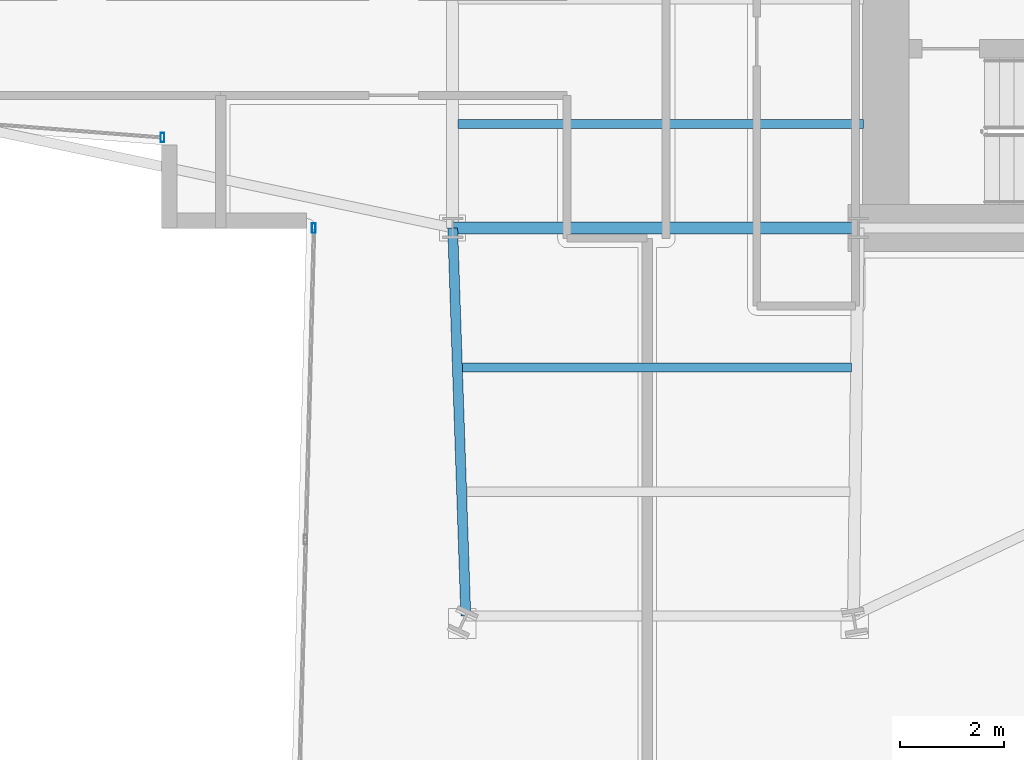
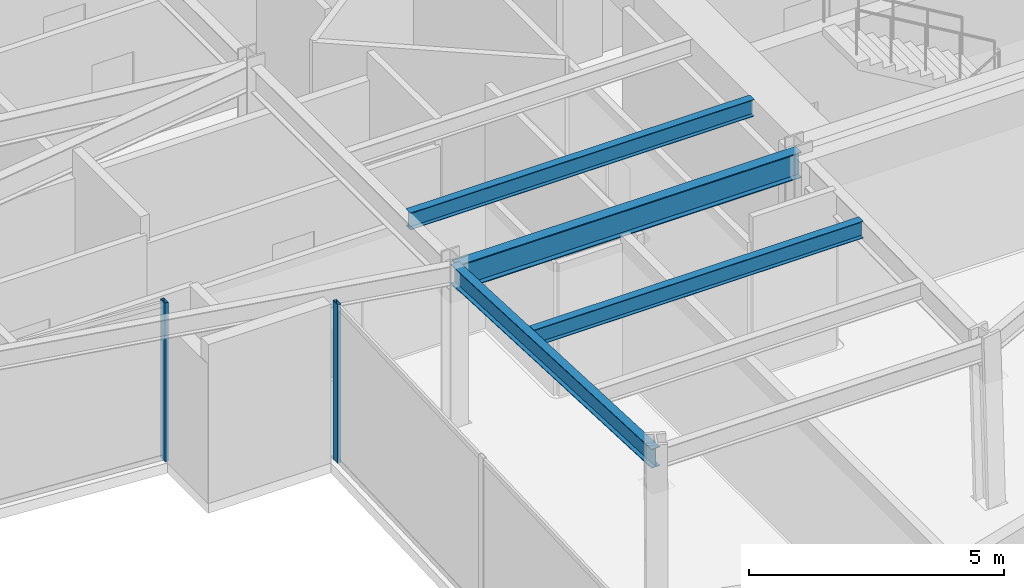
# One storey, part 7 of 31: 4 beams, 2 members, 2 elements without a shape of their own.
"""IFC4 building model written with IfcOpenShell, lengths in metres."""

import ifcopenshell
import ifcopenshell.guid

model = None  # the IFC model being written
_history = None  # IfcOwnerHistory: only IFC2X3 demands one
_inside = {}  # id of a spatial element -> (the spatial element, [elements in it])
_under = {}  # id of a project, library or spatial element -> (it, [spatial elements below it])
_declared = {}  # id of a project -> (the project, [libraries it declares])
_typed = {}  # id of a type object -> (the type object, [elements of that type])
_made_of = {}  # id of a material, layer set ... -> (it, [elements and type objects made of it])


def new_model(schema):
    """Start an empty IFC model of exactly this schema.

    Asked for "IFC4X3", IfcOpenShell would pick the latest addendum, in which some entities
    have other attributes; the version numbers below select the first issue.
    IFC2X3 requires an IfcOwnerHistory on every rooted entity: one is made here for all.
    """
    global model, _history
    if schema == "IFC4X3":
        model = ifcopenshell.file(schema_version=(4, 3, 0, 0))
    else:
        model = ifcopenshell.file(schema=schema)
    _inside.clear()
    _under.clear()
    _declared.clear()
    _typed.clear()
    _made_of.clear()
    _history = None
    if model.schema == "IFC2X3":
        org = make("IfcOrganization", Name="unknown")
        user = make(
            "IfcPersonAndOrganization",
            ThePerson=make("IfcPerson", FamilyName="unknown"),
            TheOrganization=org,
        )
        app = make(
            "IfcApplication",
            ApplicationDeveloper=org,
            Version="unknown",
            ApplicationFullName="unknown",
            ApplicationIdentifier="unknown",
        )
        _history = make(
            "IfcOwnerHistory",
            OwningUser=user,
            OwningApplication=app,
            ChangeAction="ADDED",
            CreationDate=0,
        )
    return model


def make(cls, **values):
    """One entity of the class cls with the attributes given. An attribute that is None is left unset."""
    return model.create_entity(
        cls, **{name: value for name, value in values.items() if value is not None}
    )


def rooted(cls, **values):
    """An entity with a GlobalId (a new one), such as an element, a storey or a relation."""
    return make(cls, GlobalId=ifcopenshell.guid.new(), OwnerHistory=_history, **values)


def si_unit(unit_type, name, prefix=None):
    """IfcSIUnit, for example si_unit("LENGTHUNIT", "METRE", prefix="MILLI")."""
    return make("IfcSIUnit", UnitType=unit_type, Prefix=prefix, Name=name)


def assignment(units):
    """IfcUnitAssignment: the units of a project."""
    return None if units is None else make("IfcUnitAssignment", Units=units)


def point(xyz):
    """IfcCartesianPoint."""
    return None if xyz is None else make("IfcCartesianPoint", Coordinates=xyz)


def direction(xyz):
    """IfcDirection."""
    return None if xyz is None else make("IfcDirection", DirectionRatios=xyz)


def frame(location, z_axis=None, x_axis=None):
    """IfcAxis2Placement3D, a coordinate frame: its origin and axes. An axis left out is left unset."""
    return make(
        "IfcAxis2Placement3D",
        Location=point(location),
        Axis=direction(z_axis),
        RefDirection=direction(x_axis),
    )


def frame_2d(location, x_axis=None):
    """IfcAxis2Placement2D, a coordinate frame in the plane: its origin and x axis."""
    return make(
        "IfcAxis2Placement2D", Location=point(location), RefDirection=direction(x_axis)
    )


def origin():
    """The frame at (0, 0, 0) with its axes left unset."""
    return frame((0.0, 0.0, 0.0))


def origin_2d():
    """The frame at (0, 0) in the plane with its x axis left unset."""
    return frame_2d((0.0, 0.0))


def place(relative_to, where):
    """IfcLocalPlacement: puts the frame where relative to a parent placement (None: the world)."""
    return make(
        "IfcLocalPlacement", PlacementRelTo=relative_to, RelativePlacement=where
    )


def context(
    kind, dimensions, precision=None, world=None, true_north=None, identifier=None
):
    """IfcGeometricRepresentationContext, for example the 3D "Model" context."""
    return make(
        "IfcGeometricRepresentationContext",
        ContextIdentifier=identifier,
        ContextType=kind,
        CoordinateSpaceDimension=dimensions,
        Precision=precision,
        WorldCoordinateSystem=world,
        TrueNorth=true_north,
    )


def subcontext(parent, identifier, kind, view, scale=None):
    """IfcGeometricRepresentationSubContext, for example "Body" below "Model"."""
    return make(
        "IfcGeometricRepresentationSubContext",
        ContextIdentifier=identifier,
        ContextType=kind,
        ParentContext=parent,
        TargetScale=scale,
        TargetView=view,
    )


def project(units=None, contexts=None):
    """IfcProject with its units and contexts."""
    return rooted(
        "IfcProject",
        Name="project",
        RepresentationContexts=contexts,
        UnitsInContext=assignment(units),
    )


def spatial(cls, under=None, at=None, **own):
    """A site, building, storey or space (cls), placed at a placement, below another one or the project."""
    s = rooted(cls, ObjectPlacement=at, **own)
    if under is not None:
        _under.setdefault(under.id(), (under, []))[1].append(s)
    return s


def profile(cls, at=None, kind="AREA", **sizes):
    """A parametric profile (cls). Its sizes go by their IFC names, for example OverallWidth=200.0."""
    return make(cls, ProfileType=kind, Position=at, **sizes)


def hollow_rectangle(**sizes):
    """IfcRectangleHollowProfileDef."""
    return profile("IfcRectangleHollowProfileDef", **sizes)


def i_section(**sizes):
    """IfcIShapeProfileDef."""
    return profile("IfcIShapeProfileDef", **sizes)


def extrude(swept, where, along, depth):
    """IfcExtrudedAreaSolid: the profile swept, set in the frame where, extruded along a direction by depth."""
    return make(
        "IfcExtrudedAreaSolid",
        SweptArea=swept,
        Position=where,
        ExtrudedDirection=direction(along),
        Depth=depth,
    )


def shape(context_of_items, identifier, shape_type, items):
    """IfcShapeRepresentation: the items that make up one representation, for example the "Body"."""
    return make(
        "IfcShapeRepresentation",
        ContextOfItems=context_of_items,
        RepresentationIdentifier=identifier,
        RepresentationType=shape_type,
        Items=items,
    )


def material(Name=None, Category=None):
    """IfcMaterial."""
    return make("IfcMaterial", Name=Name, Category=Category)


def layer(
    of_material, thickness, ventilated=None, Name=None, Category=None, Priority=None
):
    """IfcMaterialLayer: one layer of a wall or slab, of a material (None: an air gap)."""
    return make(
        "IfcMaterialLayer",
        Material=of_material,
        LayerThickness=thickness,
        IsVentilated=ventilated,
        Name=Name,
        Category=Category,
        Priority=Priority,
    )


def layer_set(layers, Name=None):
    """IfcMaterialLayerSet."""
    return make("IfcMaterialLayerSet", MaterialLayers=layers, LayerSetName=Name)


def material_profile(
    of_material, cross_section, Name=None, Category=None, Priority=None
):
    """IfcMaterialProfile: a cross section and its material."""
    return make(
        "IfcMaterialProfile",
        Name=Name,
        Material=of_material,
        Profile=cross_section,
        Priority=Priority,
        Category=Category,
    )


def profile_set(profiles, Name=None, composite=None):
    """IfcMaterialProfileSet."""
    return make(
        "IfcMaterialProfileSet",
        Name=Name,
        MaterialProfiles=profiles,
        CompositeProfile=composite,
    )


def made_of(thing, what):
    """Note that an element or type object is made of a material, layer set ...; save() writes the relation."""
    if what is not None:
        _made_of.setdefault(what.id(), (what, []))[1].append(thing)
    return thing


def type_object(cls, material=None, **own):
    """A type object (cls), such as IfcWallType, which elements share."""
    return made_of(rooted(cls, **own), material)


def element(
    cls,
    number,
    at=None,
    inside=None,
    cuts=None,
    type_object=None,
    material=None,
    context=None,
    identifier="Body",
    shape_type=None,
    held_by="IfcProductDefinitionShape",
    body=None,
    shapes=None,
    **own,
):
    """One element of the class cls, such as IfcWall. Its Tag is "e" and its number.

    at: its placement. inside: the storey or other place that contains it. cuts: it is an
    opening in that element (IfcRelVoidsElement). A single representation is given by context,
    identifier, shape_type and body (its items); several are given by shapes. held_by: the class
    of the entity that holds the representations. save() writes the other relations.
    """
    e = rooted(cls, Tag="e%d" % number, ObjectPlacement=at, **own)
    if body is not None:
        shapes = [shape(context, identifier, shape_type, body)]
    if shapes is not None:
        e.Representation = make(held_by, Representations=shapes)
    if inside is not None:
        _inside.setdefault(inside.id(), (inside, []))[1].append(e)
    if cuts is not None:
        rooted(
            "IfcRelVoidsElement", RelatingBuildingElement=cuts, RelatedOpeningElement=e
        )
    if type_object is not None:
        _typed.setdefault(type_object.id(), (type_object, []))[1].append(e)
    return made_of(e, material)


def aggregate(whole, parts):
    """IfcRelAggregates: a whole, such as a stair, and the parts it consists of."""
    return rooted("IfcRelAggregates", RelatingObject=whole, RelatedObjects=parts)


def save(model, path):
    """Write the relations noted so far, then the file.

    IfcRelAggregates (storeys below a building ...), IfcRelContainedInSpatialStructure (elements
    in a storey), IfcRelDefinesByType, IfcRelAssociatesMaterial and IfcRelDeclares: one each for
    every whole, place, type object, material and project.
    """
    for whole, parts in _under.values():
        aggregate(whole, parts)
    for where, things in _inside.values():
        rooted(
            "IfcRelContainedInSpatialStructure",
            RelatedElements=things,
            RelatingStructure=where,
        )
    for kind, things in _typed.values():
        rooted("IfcRelDefinesByType", RelatedObjects=things, RelatingType=kind)
    for what, things in _made_of.values():
        rooted("IfcRelAssociatesMaterial", RelatedObjects=things, RelatingMaterial=what)
    for by, libraries in _declared.values():
        rooted("IfcRelDeclares", RelatingContext=by, RelatedDefinitions=libraries)
    model.write(path)


model = new_model("IFC4")

# Units and contexts
model_context = context("Model", 3, precision=1e-05, world=origin(), true_north=direction((0.0, 1.0)))
body_context = subcontext(model_context, "Body", "Model", "MODEL_VIEW")
ifc_project = project(units=[si_unit("LENGTHUNIT", "METRE"), si_unit("AREAUNIT", "SQUARE_METRE"), si_unit("VOLUMEUNIT", "CUBIC_METRE"), si_unit("PLANEANGLEUNIT", "RADIAN"), si_unit("MASSUNIT", "GRAM", prefix="KILO")], contexts=[model_context])

# Site, building, storey
site_placement = place(None, origin())
site = spatial("IfcSite", under=ifc_project, at=site_placement, CompositionType="ELEMENT")
building_placement = place(site_placement, origin())
building = spatial("IfcBuilding", under=site, at=building_placement, Name="Veymaron Broadcast Tower", CompositionType="ELEMENT")
storey_placement = place(building_placement, frame((0.0, 0.0, 70.199951171875)))
storey = spatial("IfcBuildingStorey", under=building, at=storey_placement, Name="L15", CompositionType="ELEMENT", Elevation=70.199951171875)

# Beams
ifc_material_1 = material(Name="Structural steel ASTM A992 Gr 50", Category="steel")
ifc_material_profile_1 = material_profile(ifc_material_1, i_section(OverallWidth=0.22998046875, OverallDepth=0.616943359375, WebThickness=0.01318359375, FlangeThickness=0.022216796875, at=origin_2d()), Name="W610X140")
ifc_profile_set_1 = profile_set([ifc_material_profile_1], Name="Structural steel ASTM A992 Gr 50")
beam_type_1 = type_object("IfcBeamType", Name="BM-FG1", PredefinedType="BEAM", material=ifc_profile_set_1)
beam_1_placement = place(storey_placement, frame((31.199951171875, 16.0, 3.50146484375), z_axis=(1.0, 0.0, 0.0), x_axis=(0.0, 1.0, 0.0)))
element("IfcBeam", 1, at=beam_1_placement, inside=storey, type_object=beam_type_1, Name="L15 primary structural floor girder", PredefinedType="BEAM", context=body_context, shape_type="SweptSolid", body=[
    extrude(i_section(OverallWidth=0.22998046875, OverallDepth=0.616943359375, WebThickness=0.01318359375, FlangeThickness=0.022216796875, at=origin_2d()), origin(), (0.0, 0.0, 1.0), 7.800048828125),
])
ifc_material_profile_2 = material_profile(ifc_material_1, i_section(OverallWidth=0.177978515625, OverallDepth=0.406982421875, WebThickness=0.0078125, FlangeThickness=0.0126953125, at=origin_2d()), Name="W410X60")
ifc_profile_set_2 = profile_set([ifc_material_profile_2], Name="Structural steel ASTM A992 Gr 50")
beam_type_2 = type_object("IfcBeamType", Name="BM-JS1", PredefinedType="JOIST", material=ifc_profile_set_2)
beam_2_placement = place(storey_placement, frame((31.390625, 13.314453125, 3.6064453125), z_axis=(1.0, 0.0, 0.0), x_axis=(0.0, 1.0, 0.0)))
element("IfcBeam", 2, at=beam_2_placement, inside=storey, type_object=beam_type_2, Name="L15 Arm-C secondary joist 1", PredefinedType="JOIST", context=body_context, shape_type="SweptSolid", body=[
    extrude(i_section(OverallWidth=0.177978515625, OverallDepth=0.406982421875, WebThickness=0.0078125, FlangeThickness=0.0126953125, at=origin_2d()), origin(), (0.0, 0.0, 1.0), 7.47705078125),
])
beam_3_placement = place(storey_placement, frame((31.300048828125, 18.0, 3.6064453125), z_axis=(1.0, 0.0, 0.0), x_axis=(0.0, 1.0, 0.0)))
element("IfcBeam", 3, at=beam_3_placement, inside=storey, type_object=beam_type_2, Name="L15 Hub secondary joist 1", PredefinedType="JOIST", context=body_context, shape_type="SweptSolid", body=[
    extrude(i_section(OverallWidth=0.177978515625, OverallDepth=0.406982421875, WebThickness=0.0078125, FlangeThickness=0.0126953125, at=origin_2d()), origin(), (0.0, 0.0, 1.0), 7.800048828125),
])
ifc_material_profile_3 = material_profile(ifc_material_1, i_section(OverallWidth=0.19091796875, OverallDepth=0.4599609375, WebThickness=0.010009765625, FlangeThickness=0.01611328125, at=origin_2d()), Name="W460X82")
ifc_profile_set_3 = profile_set([ifc_material_profile_3], Name="Structural steel ASTM A992 Gr 50")
beam_type_3 = type_object("IfcBeamType", Name="BM-SP1", PredefinedType="SPANDREL", material=ifc_profile_set_3)
beam_4_placement = place(storey_placement, frame((31.199951171875, 16.0, 3.580078125), z_axis=(0.033754807852, -0.999430144106, 0.0), x_axis=(0.999430144106, 0.033754807852, 0.0)))
element("IfcBeam", 4, at=beam_4_placement, inside=storey, type_object=beam_type_3, Name="L15 primary structural floor girder", PredefinedType="SPANDREL", context=body_context, shape_type="SweptSolid", body=[
    extrude(i_section(OverallWidth=0.19091796875, OverallDepth=0.4599609375, WebThickness=0.010009765625, FlangeThickness=0.01611328125, at=origin_2d()), origin(), (0.0, 0.0, 1.0), 7.464111328125),
])

# Curtain wall, member
ifc_material_2 = material(Name="Anodised aluminium AA 6063-T6 and laminated low-E dark glass", Category="aluminium")
ifc_layer = layer(ifc_material_2, 0.179931640625)
ifc_layer_set = layer_set([ifc_layer], Name="Anodised aluminium AA 6063-T6 and laminated low-E dark glass")
curtain_wall_type = type_object("IfcCurtainWallType", Name="CW-SYS-02", PredefinedType="NOTDEFINED", material=ifc_layer_set)
curtain_wall_1_placement = place(storey_placement, origin())
curtain_wall_1 = element("IfcCurtainWall", 5, at=curtain_wall_1_placement, inside=storey, type_object=curtain_wall_type, Name="L15 dark-glass curtain wall CW-L15-E14-1", PredefinedType="NOTDEFINED")
ifc_material_3 = material(Name="Anodised aluminium AA 6063-T6", Category="aluminium")
ifc_material_profile_4 = material_profile(ifc_material_3, hollow_rectangle(XDim=0.074951171875, YDim=0.179931640625, WallThickness=0.0048828125, at=origin_2d()), Name="AL180X75X5")
ifc_profile_set_4 = profile_set([ifc_material_profile_4], Name="Anodised aluminium AA 6063-T6")
member_type = type_object("IfcMemberType", Name="CW-MUL-02", PredefinedType="MULLION", material=ifc_profile_set_4)
member_1_placement = place(storey_placement, frame((25.618896484375, 17.7392578125, 0.0), z_axis=(0.0, 0.0, 1.0), x_axis=(1.0, 0.0, 0.0)))
member_1 = element("IfcMember", 6, at=member_1_placement, type_object=member_type, Name="CW-L15-E14-1 mullion 3", PredefinedType="MULLION", context=body_context, shape_type="SweptSolid", body=[
    extrude(hollow_rectangle(XDim=0.074951171875, YDim=0.179931640625, WallThickness=0.0048828125, at=origin_2d()), origin(), (0.0, 0.0, 1.0), 3.81005859375),
])
aggregate(curtain_wall_1, [member_1])

curtain_wall_2_placement = place(storey_placement, origin())
curtain_wall_2 = element("IfcCurtainWall", 7, at=curtain_wall_2_placement, inside=storey, type_object=curtain_wall_type, Name="L15 dark-glass curtain wall CW-L15-E17-1", PredefinedType="NOTDEFINED")
member_2_placement = place(storey_placement, frame((28.527099609375, 15.996337890625, 0.0), z_axis=(0.0, 0.0, 1.0), x_axis=(1.0, 0.0, 0.0)))
member_2 = element("IfcMember", 8, at=member_2_placement, type_object=member_type, Name="CW-L15-E17-1 mullion 0", PredefinedType="MULLION", context=body_context, shape_type="SweptSolid", body=[
    extrude(hollow_rectangle(XDim=0.074951171875, YDim=0.179931640625, WallThickness=0.0048828125, at=origin_2d()), origin(), (0.0, 0.0, 1.0), 3.81005859375),
])
aggregate(curtain_wall_2, [member_2])

save(model, "model.ifc")
